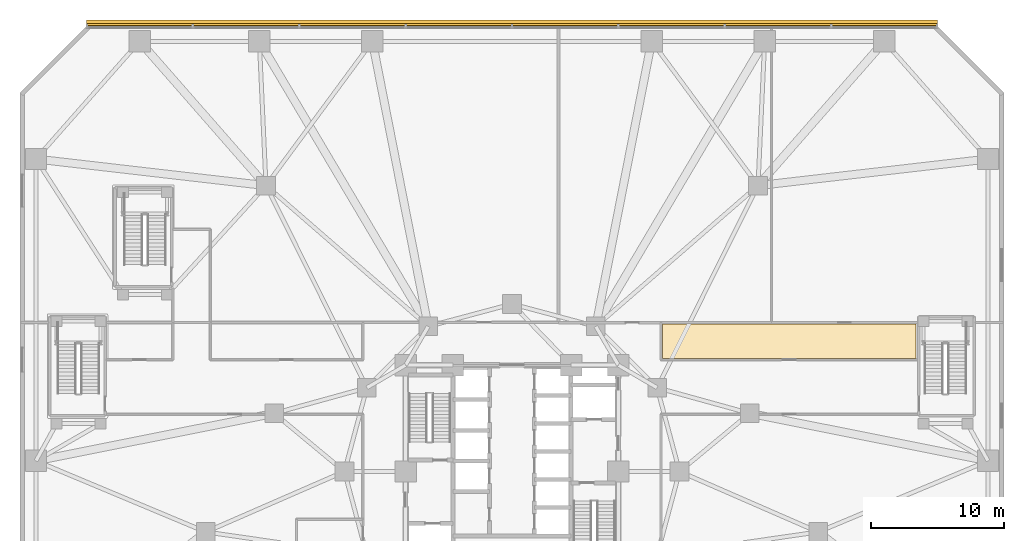
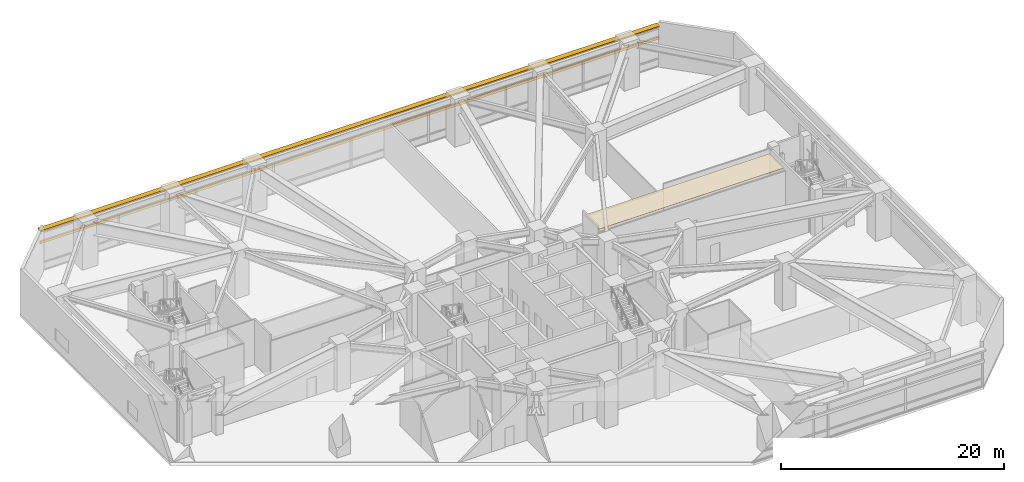
# One storey, part 26 of 27: 2 shading devices, 1 covering.
"""IFC4 building model written with IfcOpenShell, lengths in metres."""

from ifc_helpers import new_model, si_unit, direction, frame, origin, origin_2d, place, context, subcontext, project, spatial, polyline, rectangle, outline, extrude, material, layer, layer_set, type_object, element, save


model = new_model("IFC4")

# Units and contexts
model_context = context("Model", 3, precision=1e-05, world=origin(), true_north=direction((0.0, 1.0)))
body_context = subcontext(model_context, "Body", "Model", "MODEL_VIEW")
ifc_project = project(units=[si_unit("LENGTHUNIT", "METRE"), si_unit("AREAUNIT", "SQUARE_METRE"), si_unit("VOLUMEUNIT", "CUBIC_METRE"), si_unit("PLANEANGLEUNIT", "RADIAN"), si_unit("MASSUNIT", "GRAM", prefix="KILO")], contexts=[model_context])

# Site, building, storey
site_placement = place(None, origin())
site = spatial("IfcSite", under=ifc_project, at=site_placement, CompositionType="ELEMENT")
building_placement = place(site_placement, origin())
building = spatial("IfcBuilding", under=site, at=building_placement, Name="Terralouvre Media Tower", CompositionType="ELEMENT")
storey_placement = place(building_placement, frame((0.0, 0.0, 15.60009765625)))
storey = spatial("IfcBuildingStorey", under=building, at=storey_placement, Name="L03", CompositionType="ELEMENT", Elevation=15.60009765625)

# Covering
ifc_material_1 = material(Name="Perforated aluminium acoustic ceiling baffle", Category="aluminium")
ifc_layer = layer(ifc_material_1, 0.0400390625, Name="Perforated Acoustic Metal Tile Ceiling CL-AC1")
ifc_layer_set = layer_set([ifc_layer], Name="Perforated aluminium acoustic ceiling baffle")
covering_type = type_object("IfcCoveringType", Name="Perforated Acoustic Metal Tile Ceiling CL-AC1", PredefinedType="CEILING", material=ifc_layer_set)
covering_placement = place(storey_placement, frame((0.0, 0.0, 4.429931640625)))
element("IfcCovering", 1, at=covering_placement, inside=storey, type_object=covering_type, Name="L03 L03 VIP Green Room Lounge 6 Acoustic Ceiling", PredefinedType="CEILING", context=body_context, shape_type="SweptSolid", body=[
    extrude(outline(polyline([(11.300048828125, 8.5), (30.39990234375, 8.5), (30.39990234375, 11.10009765625), (11.300048828125, 11.10009765625), (11.300048828125, 8.5)])), origin(), (0.0, 0.0, 1.0), 0.0400390625),
])

# Shading devices
ifc_material_2 = material(Name="Extruded terracotta baguette sunshade louvres", Category="masonry")
shading_device_type_1 = type_object("IfcShadingDeviceType", Name="Podium Deep Terracotta Sunshade Canopy Blade TB-SH1", PredefinedType="USERDEFINED", material=ifc_material_2)
shading_device_1_placement = place(storey_placement, frame((0.0, 33.679931640625, 4.18994140625), z_axis=(0.0, 0.0, 1.0), x_axis=(-1.0, 0.0, 0.0)))
element("IfcShadingDevice", 2, at=shading_device_1_placement, inside=storey, type_object=shading_device_type_1, Name="L03 Podium Deep Sunshade Blade F4", ObjectType="SUNSHADE", PredefinedType="USERDEFINED", context=body_context, shape_type="SweptSolid", body=[
    extrude(rectangle(XDim=64.0, YDim=0.550048828125, at=origin_2d()), origin(), (0.0, 0.0, 1.0), 0.159912109375),
])
ifc_material_3 = material(Name="Extruded terracotta baguette sunshade louvres", Category="masonry")
shading_device_type_2 = type_object("IfcShadingDeviceType", Name="Terracotta Baguette Sunshade Louvre Screen TB-LV1", PredefinedType="USERDEFINED", material=ifc_material_3)
shading_device_2_placement = place(storey_placement, frame((0.0, 33.6201171875, 2.82470703125), z_axis=(0.0, 0.0, 1.0), x_axis=(-1.0, 0.0, 0.0)))
element("IfcShadingDevice", 3, at=shading_device_2_placement, inside=storey, type_object=shading_device_type_2, Name="CW-L03-F4 Terracotta Baguette Sunshade Louvre", ObjectType="BAGUETTE", PredefinedType="USERDEFINED", context=body_context, shape_type="SweptSolid", body=[
    extrude(rectangle(XDim=64.0, YDim=0.179931640625, at=origin_2d()), origin(), (0.0, 0.0, 1.0), 0.280029296875),
])

save(model, "model.ifc")
